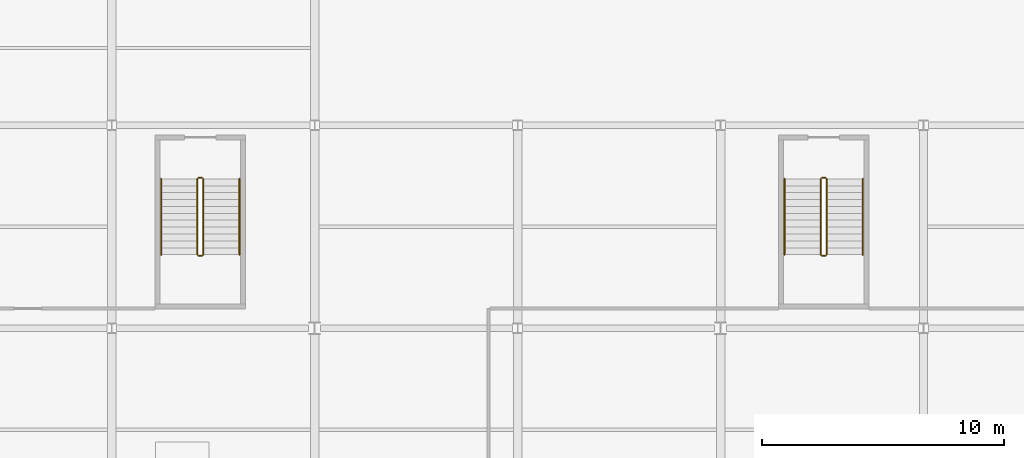
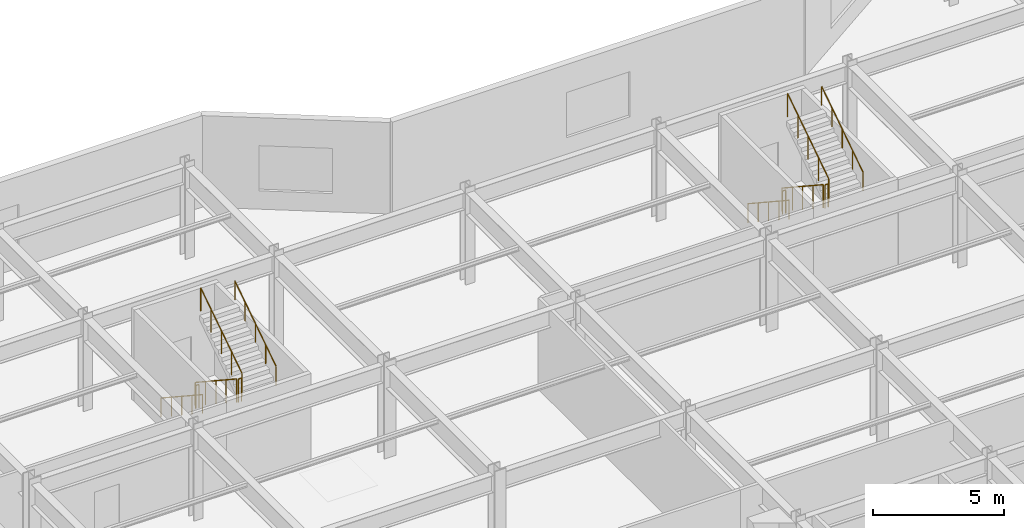
# One storey, part 23 of 26: 12 railings.
"""IFC4 building model written with IfcOpenShell, lengths in metres."""

import ifcopenshell
import ifcopenshell.guid

model = None  # the IFC model being written
_history = None  # IfcOwnerHistory: only IFC2X3 demands one
_inside = {}  # id of a spatial element -> (the spatial element, [elements in it])
_under = {}  # id of a project, library or spatial element -> (it, [spatial elements below it])
_declared = {}  # id of a project -> (the project, [libraries it declares])
_typed = {}  # id of a type object -> (the type object, [elements of that type])
_made_of = {}  # id of a material, layer set ... -> (it, [elements and type objects made of it])


def new_model(schema):
    """Start an empty IFC model of exactly this schema.

    Asked for "IFC4X3", IfcOpenShell would pick the latest addendum, in which some entities
    have other attributes; the version numbers below select the first issue.
    IFC2X3 requires an IfcOwnerHistory on every rooted entity: one is made here for all.
    """
    global model, _history
    if schema == "IFC4X3":
        model = ifcopenshell.file(schema_version=(4, 3, 0, 0))
    else:
        model = ifcopenshell.file(schema=schema)
    _inside.clear()
    _under.clear()
    _declared.clear()
    _typed.clear()
    _made_of.clear()
    _history = None
    if model.schema == "IFC2X3":
        org = make("IfcOrganization", Name="unknown")
        user = make(
            "IfcPersonAndOrganization",
            ThePerson=make("IfcPerson", FamilyName="unknown"),
            TheOrganization=org,
        )
        app = make(
            "IfcApplication",
            ApplicationDeveloper=org,
            Version="unknown",
            ApplicationFullName="unknown",
            ApplicationIdentifier="unknown",
        )
        _history = make(
            "IfcOwnerHistory",
            OwningUser=user,
            OwningApplication=app,
            ChangeAction="ADDED",
            CreationDate=0,
        )
    return model


def make(cls, **values):
    """One entity of the class cls with the attributes given. An attribute that is None is left unset."""
    return model.create_entity(
        cls, **{name: value for name, value in values.items() if value is not None}
    )


def rooted(cls, **values):
    """An entity with a GlobalId (a new one), such as an element, a storey or a relation."""
    return make(cls, GlobalId=ifcopenshell.guid.new(), OwnerHistory=_history, **values)


def si_unit(unit_type, name, prefix=None):
    """IfcSIUnit, for example si_unit("LENGTHUNIT", "METRE", prefix="MILLI")."""
    return make("IfcSIUnit", UnitType=unit_type, Prefix=prefix, Name=name)


def assignment(units):
    """IfcUnitAssignment: the units of a project."""
    return None if units is None else make("IfcUnitAssignment", Units=units)


def point(xyz):
    """IfcCartesianPoint."""
    return None if xyz is None else make("IfcCartesianPoint", Coordinates=xyz)


def direction(xyz):
    """IfcDirection."""
    return None if xyz is None else make("IfcDirection", DirectionRatios=xyz)


def frame(location, z_axis=None, x_axis=None):
    """IfcAxis2Placement3D, a coordinate frame: its origin and axes. An axis left out is left unset."""
    return make(
        "IfcAxis2Placement3D",
        Location=point(location),
        Axis=direction(z_axis),
        RefDirection=direction(x_axis),
    )


def frame_2d(location, x_axis=None):
    """IfcAxis2Placement2D, a coordinate frame in the plane: its origin and x axis."""
    return make(
        "IfcAxis2Placement2D", Location=point(location), RefDirection=direction(x_axis)
    )


def origin():
    """The frame at (0, 0, 0) with its axes left unset."""
    return frame((0.0, 0.0, 0.0))


def origin_2d():
    """The frame at (0, 0) in the plane with its x axis left unset."""
    return frame_2d((0.0, 0.0))


def place(relative_to, where):
    """IfcLocalPlacement: puts the frame where relative to a parent placement (None: the world)."""
    return make(
        "IfcLocalPlacement", PlacementRelTo=relative_to, RelativePlacement=where
    )


def context(
    kind, dimensions, precision=None, world=None, true_north=None, identifier=None
):
    """IfcGeometricRepresentationContext, for example the 3D "Model" context."""
    return make(
        "IfcGeometricRepresentationContext",
        ContextIdentifier=identifier,
        ContextType=kind,
        CoordinateSpaceDimension=dimensions,
        Precision=precision,
        WorldCoordinateSystem=world,
        TrueNorth=true_north,
    )


def subcontext(parent, identifier, kind, view, scale=None):
    """IfcGeometricRepresentationSubContext, for example "Body" below "Model"."""
    return make(
        "IfcGeometricRepresentationSubContext",
        ContextIdentifier=identifier,
        ContextType=kind,
        ParentContext=parent,
        TargetScale=scale,
        TargetView=view,
    )


def project(units=None, contexts=None):
    """IfcProject with its units and contexts."""
    return rooted(
        "IfcProject",
        Name="project",
        RepresentationContexts=contexts,
        UnitsInContext=assignment(units),
    )


def spatial(cls, under=None, at=None, **own):
    """A site, building, storey or space (cls), placed at a placement, below another one or the project."""
    s = rooted(cls, ObjectPlacement=at, **own)
    if under is not None:
        _under.setdefault(under.id(), (under, []))[1].append(s)
    return s


def profile(cls, at=None, kind="AREA", **sizes):
    """A parametric profile (cls). Its sizes go by their IFC names, for example OverallWidth=200.0."""
    return make(cls, ProfileType=kind, Position=at, **sizes)


def circle(**sizes):
    """IfcCircleProfileDef."""
    return profile("IfcCircleProfileDef", **sizes)


def extrude(swept, where, along, depth):
    """IfcExtrudedAreaSolid: the profile swept, set in the frame where, extruded along a direction by depth."""
    return make(
        "IfcExtrudedAreaSolid",
        SweptArea=swept,
        Position=where,
        ExtrudedDirection=direction(along),
        Depth=depth,
    )


def shape(context_of_items, identifier, shape_type, items):
    """IfcShapeRepresentation: the items that make up one representation, for example the "Body"."""
    return make(
        "IfcShapeRepresentation",
        ContextOfItems=context_of_items,
        RepresentationIdentifier=identifier,
        RepresentationType=shape_type,
        Items=items,
    )


def material(Name=None, Category=None):
    """IfcMaterial."""
    return make("IfcMaterial", Name=Name, Category=Category)


def made_of(thing, what):
    """Note that an element or type object is made of a material, layer set ...; save() writes the relation."""
    if what is not None:
        _made_of.setdefault(what.id(), (what, []))[1].append(thing)
    return thing


def type_object(cls, material=None, **own):
    """A type object (cls), such as IfcWallType, which elements share."""
    return made_of(rooted(cls, **own), material)


def element(
    cls,
    number,
    at=None,
    inside=None,
    cuts=None,
    type_object=None,
    material=None,
    context=None,
    identifier="Body",
    shape_type=None,
    held_by="IfcProductDefinitionShape",
    body=None,
    shapes=None,
    **own,
):
    """One element of the class cls, such as IfcWall. Its Tag is "e" and its number.

    at: its placement. inside: the storey or other place that contains it. cuts: it is an
    opening in that element (IfcRelVoidsElement). A single representation is given by context,
    identifier, shape_type and body (its items); several are given by shapes. held_by: the class
    of the entity that holds the representations. save() writes the other relations.
    """
    e = rooted(cls, Tag="e%d" % number, ObjectPlacement=at, **own)
    if body is not None:
        shapes = [shape(context, identifier, shape_type, body)]
    if shapes is not None:
        e.Representation = make(held_by, Representations=shapes)
    if inside is not None:
        _inside.setdefault(inside.id(), (inside, []))[1].append(e)
    if cuts is not None:
        rooted(
            "IfcRelVoidsElement", RelatingBuildingElement=cuts, RelatedOpeningElement=e
        )
    if type_object is not None:
        _typed.setdefault(type_object.id(), (type_object, []))[1].append(e)
    return made_of(e, material)


def aggregate(whole, parts):
    """IfcRelAggregates: a whole, such as a stair, and the parts it consists of."""
    return rooted("IfcRelAggregates", RelatingObject=whole, RelatedObjects=parts)


def save(model, path):
    """Write the relations noted so far, then the file.

    IfcRelAggregates (storeys below a building ...), IfcRelContainedInSpatialStructure (elements
    in a storey), IfcRelDefinesByType, IfcRelAssociatesMaterial and IfcRelDeclares: one each for
    every whole, place, type object, material and project.
    """
    for whole, parts in _under.values():
        aggregate(whole, parts)
    for where, things in _inside.values():
        rooted(
            "IfcRelContainedInSpatialStructure",
            RelatedElements=things,
            RelatingStructure=where,
        )
    for kind, things in _typed.values():
        rooted("IfcRelDefinesByType", RelatedObjects=things, RelatingType=kind)
    for what, things in _made_of.values():
        rooted("IfcRelAssociatesMaterial", RelatedObjects=things, RelatingMaterial=what)
    for by, libraries in _declared.values():
        rooted("IfcRelDeclares", RelatingContext=by, RelatedDefinitions=libraries)
    model.write(path)


model = new_model("IFC4")

# Units and contexts
model_context = context("Model", 3, precision=1e-05, world=origin(), true_north=direction((0.0, 1.0)))
body_context = subcontext(model_context, "Body", "Model", "MODEL_VIEW")
ifc_project = project(units=[si_unit("LENGTHUNIT", "METRE"), si_unit("AREAUNIT", "SQUARE_METRE"), si_unit("VOLUMEUNIT", "CUBIC_METRE"), si_unit("PLANEANGLEUNIT", "RADIAN"), si_unit("MASSUNIT", "GRAM", prefix="KILO")], contexts=[model_context])

# Site, building, storey
site_placement = place(None, origin())
site = spatial("IfcSite", under=ifc_project, at=site_placement, CompositionType="ELEMENT")
building_placement = place(site_placement, origin())
building = spatial("IfcBuilding", under=site, at=building_placement, Name="Varnakote Quay Hospital", CompositionType="ELEMENT")
storey_placement = place(building_placement, frame((0.0, 0.0, 13.5)))
storey = spatial("IfcBuildingStorey", under=building, at=storey_placement, Name="L03", CompositionType="ELEMENT", Elevation=13.5)

# Railings
ifc_material_1 = material(Name="Brushed stainless steel balustrade", Category="steel")
railing_type_1 = type_object("IfcRailingType", Name="RLG-STAIR-GUARD-1150", PredefinedType="GUARDRAIL", material=ifc_material_1)
railing_1_placement = place(storey_placement, frame((11.949951171875, 34.97998046875, 0.1875)))
element("IfcRailing", 1, at=railing_1_placement, inside=storey, type_object=railing_type_1, Name="L03 ST-04 stair guard 1", PredefinedType="GUARDRAIL", context=body_context, shape_type="SweptSolid", body=[
    extrude(circle(Radius=0.02392578125, at=origin_2d()), frame((0.0, 0.0, 1.076171875), z_axis=(0.0, -0.835417868355, 0.549615306585), x_axis=(1.0, 0.0, 0.0)), (0.0, 0.0, 1.0), 3.752685546875),
    extrude(circle(Radius=0.02099609375, at=origin_2d()), origin(), (0.0, 0.0, 1.0), 1.052001953125),
    extrude(circle(Radius=0.02099609375, at=origin_2d()), frame((0.0, -0.78369140625, 0.515625)), (0.0, 0.0, 1.0), 1.052001953125),
    extrude(circle(Radius=0.02099609375, at=origin_2d()), frame((0.0, -1.5673828125, 1.03125)), (0.0, 0.0, 1.0), 1.052001953125),
    extrude(circle(Radius=0.02099609375, at=origin_2d()), frame((0.0, -2.351318359375, 1.546875)), (0.0, 0.0, 1.0), 1.052001953125),
    extrude(circle(Radius=0.02099609375, at=origin_2d()), frame((0.0, -3.135009765625, 2.0625)), (0.0, 0.0, 1.0), 1.052001953125),
])
railing_2_placement = place(storey_placement, frame((12.0, 31.794921875, 2.25)))
element("IfcRailing", 2, at=railing_2_placement, inside=storey, type_object=railing_type_1, Name="L03 ST-04 stair guard 2", PredefinedType="GUARDRAIL", context=body_context, shape_type="SweptSolid", body=[
    extrude(circle(Radius=0.02392578125, at=origin_2d()), frame((0.0, 0.0, 1.076171875), z_axis=(1.0, 0.0, 0.0), x_axis=(0.0, 1.0, 0.0)), (0.0, 0.0, 1.0), 0.139892578125),
    extrude(circle(Radius=0.02099609375, at=origin_2d()), origin(), (0.0, 0.0, 1.0), 1.052001953125),
    extrude(circle(Radius=0.02099609375, at=origin_2d()), frame((0.139892578125, 0.0, 0.0)), (0.0, 0.0, 1.0), 1.052001953125),
])
railing_3_placement = place(storey_placement, frame((12.18994140625, 31.844970703125, 2.4375)))
element("IfcRailing", 3, at=railing_3_placement, inside=storey, type_object=railing_type_1, Name="L03 ST-04 stair guard 3", PredefinedType="GUARDRAIL", context=body_context, shape_type="SweptSolid", body=[
    extrude(circle(Radius=0.02392578125, at=origin_2d()), frame((0.0, 0.0, 1.076171875), z_axis=(0.0, 0.835417868355, 0.549615306585), x_axis=(-1.0, 0.0, 0.0)), (0.0, 0.0, 1.0), 3.752685546875),
    extrude(circle(Radius=0.02099609375, at=origin_2d()), origin(), (0.0, 0.0, 1.0), 1.052001953125),
    extrude(circle(Radius=0.02099609375, at=origin_2d()), frame((0.0, 0.78369140625, 0.515625)), (0.0, 0.0, 1.0), 1.052001953125),
    extrude(circle(Radius=0.02099609375, at=origin_2d()), frame((0.0, 1.5673828125, 1.03125)), (0.0, 0.0, 1.0), 1.052001953125),
    extrude(circle(Radius=0.02099609375, at=origin_2d()), frame((0.0, 2.351318359375, 1.546875)), (0.0, 0.0, 1.0), 1.052001953125),
    extrude(circle(Radius=0.02099609375, at=origin_2d()), frame((0.0, 3.135009765625, 2.0625)), (0.0, 0.0, 1.0), 1.052001953125),
])
railing_4_placement = place(storey_placement, frame((12.0, 35.030029296875, 0.0)))
element("IfcRailing", 4, at=railing_4_placement, inside=storey, type_object=railing_type_1, Name="L03 ST-04 stair guard 4", PredefinedType="GUARDRAIL", context=body_context, shape_type="SweptSolid", body=[
    extrude(circle(Radius=0.02392578125, at=origin_2d()), frame((0.0, 0.0, 1.076171875), z_axis=(1.0, 0.0, 0.0), x_axis=(0.0, 1.0, 0.0)), (0.0, 0.0, 1.0), 0.139892578125),
    extrude(circle(Radius=0.02099609375, at=origin_2d()), origin(), (0.0, 0.0, 1.0), 1.052001953125),
    extrude(circle(Radius=0.02099609375, at=origin_2d()), frame((0.139892578125, 0.0, 0.0)), (0.0, 0.0, 1.0), 1.052001953125),
])
railing_5_placement = place(storey_placement, frame((37.75, 34.97998046875, 0.1875)))
element("IfcRailing", 5, at=railing_5_placement, inside=storey, type_object=railing_type_1, Name="L03 ST-05 stair guard 1", PredefinedType="GUARDRAIL", context=body_context, shape_type="SweptSolid", body=[
    extrude(circle(Radius=0.02392578125, at=origin_2d()), frame((0.0, 0.0, 1.076171875), z_axis=(0.0, -0.835417868355, 0.549615306585), x_axis=(1.0, 0.0, 0.0)), (0.0, 0.0, 1.0), 3.752685546875),
    extrude(circle(Radius=0.02099609375, at=origin_2d()), origin(), (0.0, 0.0, 1.0), 1.052001953125),
    extrude(circle(Radius=0.02099609375, at=origin_2d()), frame((0.0, -0.78369140625, 0.515625)), (0.0, 0.0, 1.0), 1.052001953125),
    extrude(circle(Radius=0.02099609375, at=origin_2d()), frame((0.0, -1.5673828125, 1.03125)), (0.0, 0.0, 1.0), 1.052001953125),
    extrude(circle(Radius=0.02099609375, at=origin_2d()), frame((0.0, -2.351318359375, 1.546875)), (0.0, 0.0, 1.0), 1.052001953125),
    extrude(circle(Radius=0.02099609375, at=origin_2d()), frame((0.0, -3.135009765625, 2.0625)), (0.0, 0.0, 1.0), 1.052001953125),
])
railing_6_placement = place(storey_placement, frame((37.800048828125, 31.794921875, 2.25)))
element("IfcRailing", 6, at=railing_6_placement, inside=storey, type_object=railing_type_1, Name="L03 ST-05 stair guard 2", PredefinedType="GUARDRAIL", context=body_context, shape_type="SweptSolid", body=[
    extrude(circle(Radius=0.02392578125, at=origin_2d()), frame((0.0, 0.0, 1.076171875), z_axis=(1.0, 0.0, 0.0), x_axis=(0.0, 1.0, 0.0)), (0.0, 0.0, 1.0), 0.139892578125),
    extrude(circle(Radius=0.02099609375, at=origin_2d()), origin(), (0.0, 0.0, 1.0), 1.052001953125),
    extrude(circle(Radius=0.02099609375, at=origin_2d()), frame((0.139892578125, 0.0, 0.0)), (0.0, 0.0, 1.0), 1.052001953125),
])
railing_7_placement = place(storey_placement, frame((37.989990234375, 31.844970703125, 2.4375)))
element("IfcRailing", 7, at=railing_7_placement, inside=storey, type_object=railing_type_1, Name="L03 ST-05 stair guard 3", PredefinedType="GUARDRAIL", context=body_context, shape_type="SweptSolid", body=[
    extrude(circle(Radius=0.02392578125, at=origin_2d()), frame((0.0, 0.0, 1.076171875), z_axis=(0.0, 0.835417868355, 0.549615306585), x_axis=(-1.0, 0.0, 0.0)), (0.0, 0.0, 1.0), 3.752685546875),
    extrude(circle(Radius=0.02099609375, at=origin_2d()), origin(), (0.0, 0.0, 1.0), 1.052001953125),
    extrude(circle(Radius=0.02099609375, at=origin_2d()), frame((0.0, 0.78369140625, 0.515625)), (0.0, 0.0, 1.0), 1.052001953125),
    extrude(circle(Radius=0.02099609375, at=origin_2d()), frame((0.0, 1.5673828125, 1.03125)), (0.0, 0.0, 1.0), 1.052001953125),
    extrude(circle(Radius=0.02099609375, at=origin_2d()), frame((0.0, 2.351318359375, 1.546875)), (0.0, 0.0, 1.0), 1.052001953125),
    extrude(circle(Radius=0.02099609375, at=origin_2d()), frame((0.0, 3.135009765625, 2.0625)), (0.0, 0.0, 1.0), 1.052001953125),
])
railing_8_placement = place(storey_placement, frame((37.800048828125, 35.030029296875, 0.0)))
element("IfcRailing", 8, at=railing_8_placement, inside=storey, type_object=railing_type_1, Name="L03 ST-05 stair guard 4", PredefinedType="GUARDRAIL", context=body_context, shape_type="SweptSolid", body=[
    extrude(circle(Radius=0.02392578125, at=origin_2d()), frame((0.0, 0.0, 1.076171875), z_axis=(1.0, 0.0, 0.0), x_axis=(0.0, 1.0, 0.0)), (0.0, 0.0, 1.0), 0.139892578125),
    extrude(circle(Radius=0.02099609375, at=origin_2d()), origin(), (0.0, 0.0, 1.0), 1.052001953125),
    extrude(circle(Radius=0.02099609375, at=origin_2d()), frame((0.139892578125, 0.0, 0.0)), (0.0, 0.0, 1.0), 1.052001953125),
])
ifc_material_2 = material(Name="Brushed stainless steel handrail", Category="steel")
railing_type_2 = type_object("IfcRailingType", Name="RLG-STAIR-HND-920", PredefinedType="HANDRAIL", material=ifc_material_2)
railing_9_placement = place(storey_placement, frame((10.449951171875, 34.97998046875, 0.1875)))
element("IfcRailing", 9, at=railing_9_placement, inside=storey, type_object=railing_type_2, Name="L03 ST-04 stair handrail 1", PredefinedType="HANDRAIL", context=body_context, shape_type="SweptSolid", body=[
    extrude(circle(Radius=0.02392578125, at=origin_2d()), frame((0.0, 0.0, 0.8759765625), z_axis=(0.0, -0.835417868355, 0.549615306585), x_axis=(1.0, 0.0, 0.0)), (0.0, 0.0, 1.0), 3.752685546875),
    extrude(circle(Radius=0.02099609375, at=origin_2d()), origin(), (0.0, 0.0, 1.0), 0.851806640625),
    extrude(circle(Radius=0.02099609375, at=origin_2d()), frame((0.0, -0.78369140625, 0.515625)), (0.0, 0.0, 1.0), 0.851806640625),
    extrude(circle(Radius=0.02099609375, at=origin_2d()), frame((0.0, -1.5673828125, 1.03125)), (0.0, 0.0, 1.0), 0.851806640625),
    extrude(circle(Radius=0.02099609375, at=origin_2d()), frame((0.0, -2.351318359375, 1.546875)), (0.0, 0.0, 1.0), 0.851806640625),
    extrude(circle(Radius=0.02099609375, at=origin_2d()), frame((0.0, -3.135009765625, 2.0625)), (0.0, 0.0, 1.0), 0.851806640625),
])
railing_10_placement = place(storey_placement, frame((13.68994140625, 31.844970703125, 2.4375)))
element("IfcRailing", 10, at=railing_10_placement, inside=storey, type_object=railing_type_2, Name="L03 ST-04 stair handrail 2", PredefinedType="HANDRAIL", context=body_context, shape_type="SweptSolid", body=[
    extrude(circle(Radius=0.02392578125, at=origin_2d()), frame((0.0, 0.0, 0.8759765625), z_axis=(0.0, 0.835417868355, 0.549615306585), x_axis=(-1.0, 0.0, 0.0)), (0.0, 0.0, 1.0), 3.752685546875),
    extrude(circle(Radius=0.02099609375, at=origin_2d()), origin(), (0.0, 0.0, 1.0), 0.851806640625),
    extrude(circle(Radius=0.02099609375, at=origin_2d()), frame((0.0, 0.78369140625, 0.515625)), (0.0, 0.0, 1.0), 0.851806640625),
    extrude(circle(Radius=0.02099609375, at=origin_2d()), frame((0.0, 1.5673828125, 1.03125)), (0.0, 0.0, 1.0), 0.851806640625),
    extrude(circle(Radius=0.02099609375, at=origin_2d()), frame((0.0, 2.351318359375, 1.546875)), (0.0, 0.0, 1.0), 0.851806640625),
    extrude(circle(Radius=0.02099609375, at=origin_2d()), frame((0.0, 3.135009765625, 2.0625)), (0.0, 0.0, 1.0), 0.851806640625),
])
railing_11_placement = place(storey_placement, frame((36.25, 34.97998046875, 0.1875)))
element("IfcRailing", 11, at=railing_11_placement, inside=storey, type_object=railing_type_2, Name="L03 ST-05 stair handrail 1", PredefinedType="HANDRAIL", context=body_context, shape_type="SweptSolid", body=[
    extrude(circle(Radius=0.02392578125, at=origin_2d()), frame((0.0, 0.0, 0.8759765625), z_axis=(0.0, -0.835417868355, 0.549615306585), x_axis=(1.0, 0.0, 0.0)), (0.0, 0.0, 1.0), 3.752685546875),
    extrude(circle(Radius=0.02099609375, at=origin_2d()), origin(), (0.0, 0.0, 1.0), 0.851806640625),
    extrude(circle(Radius=0.02099609375, at=origin_2d()), frame((0.0, -0.78369140625, 0.515625)), (0.0, 0.0, 1.0), 0.851806640625),
    extrude(circle(Radius=0.02099609375, at=origin_2d()), frame((0.0, -1.5673828125, 1.03125)), (0.0, 0.0, 1.0), 0.851806640625),
    extrude(circle(Radius=0.02099609375, at=origin_2d()), frame((0.0, -2.351318359375, 1.546875)), (0.0, 0.0, 1.0), 0.851806640625),
    extrude(circle(Radius=0.02099609375, at=origin_2d()), frame((0.0, -3.135009765625, 2.0625)), (0.0, 0.0, 1.0), 0.851806640625),
])
railing_12_placement = place(storey_placement, frame((39.489990234375, 31.844970703125, 2.4375)))
element("IfcRailing", 12, at=railing_12_placement, inside=storey, type_object=railing_type_2, Name="L03 ST-05 stair handrail 2", PredefinedType="HANDRAIL", context=body_context, shape_type="SweptSolid", body=[
    extrude(circle(Radius=0.02392578125, at=origin_2d()), frame((0.0, 0.0, 0.8759765625), z_axis=(0.0, 0.835417868355, 0.549615306585), x_axis=(-1.0, 0.0, 0.0)), (0.0, 0.0, 1.0), 3.752685546875),
    extrude(circle(Radius=0.02099609375, at=origin_2d()), origin(), (0.0, 0.0, 1.0), 0.851806640625),
    extrude(circle(Radius=0.02099609375, at=origin_2d()), frame((0.0, 0.78369140625, 0.515625)), (0.0, 0.0, 1.0), 0.851806640625),
    extrude(circle(Radius=0.02099609375, at=origin_2d()), frame((0.0, 1.5673828125, 1.03125)), (0.0, 0.0, 1.0), 0.851806640625),
    extrude(circle(Radius=0.02099609375, at=origin_2d()), frame((0.0, 2.351318359375, 1.546875)), (0.0, 0.0, 1.0), 0.851806640625),
    extrude(circle(Radius=0.02099609375, at=origin_2d()), frame((0.0, 3.135009765625, 2.0625)), (0.0, 0.0, 1.0), 0.851806640625),
])

save(model, "model.ifc")
